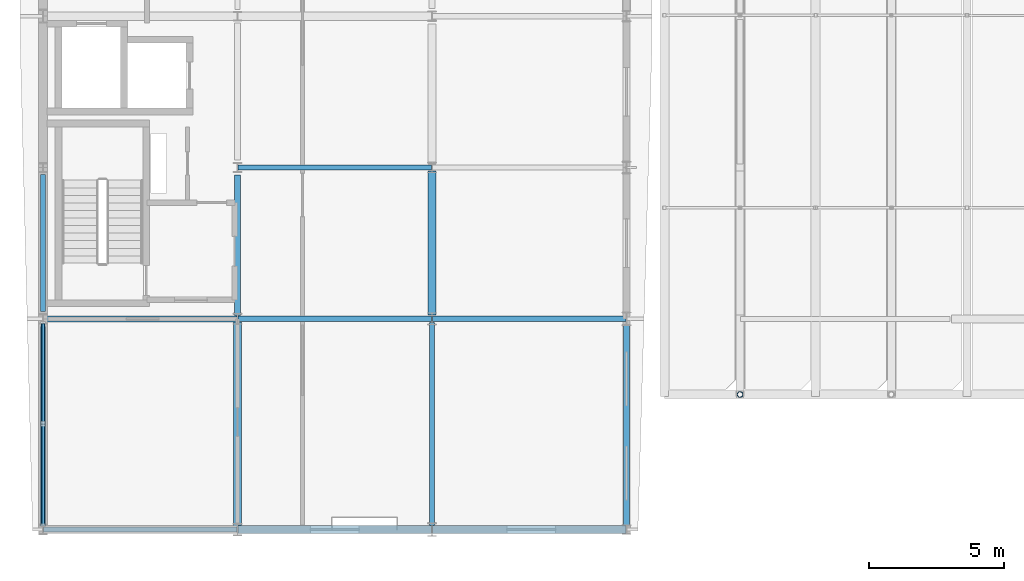
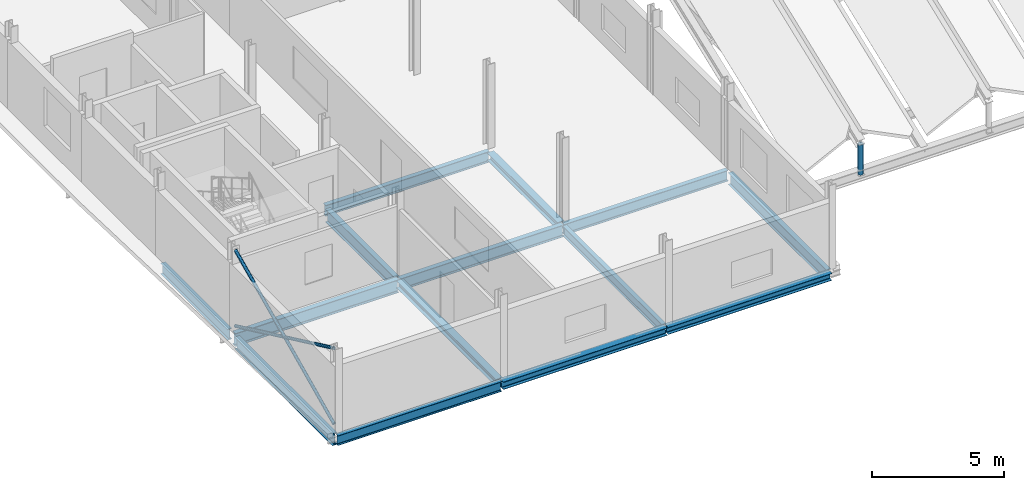
# One storey, part 8 of 49: 14 beams, 4 members.
"""IFC4 building model written with IfcOpenShell, lengths in metres."""

from ifc_helpers import new_model, si_unit, direction, frame, origin, origin_2d, place, context, subcontext, project, spatial, hollow_circle, i_section, extrude, material, material_profile, profile_set, type_object, element, save


model = new_model("IFC4")

# Units and contexts
model_context = context("Model", 3, precision=1e-05, world=origin(), true_north=direction((0.0, 1.0)))
body_context = subcontext(model_context, "Body", "Model", "MODEL_VIEW")
ifc_project = project(units=[si_unit("LENGTHUNIT", "METRE"), si_unit("AREAUNIT", "SQUARE_METRE"), si_unit("VOLUMEUNIT", "CUBIC_METRE"), si_unit("PLANEANGLEUNIT", "RADIAN"), si_unit("MASSUNIT", "GRAM", prefix="KILO")], contexts=[model_context])

# Site, building, storey
site_placement = place(None, origin())
site = spatial("IfcSite", under=ifc_project, at=site_placement, CompositionType="ELEMENT")
building_placement = place(site_placement, origin())
building = spatial("IfcBuilding", under=site, at=building_placement, Name="Vinh Khe Railworks Police Headquarters", CompositionType="ELEMENT")
storey_placement = place(building_placement, frame((0.0, 0.0, 17.10009765625)))
storey = spatial("IfcBuildingStorey", under=building, at=storey_placement, Name="L04", CompositionType="ELEMENT", Elevation=17.10009765625)

# Members
ifc_material = material(Name="Steel S355JR", Category="steel")
ifc_material_profile_1 = material_profile(ifc_material, hollow_circle(Radius=0.06982421875, WallThickness=0.008056640625, at=origin_2d()), Name="CHS 139.7x8")
ifc_profile_set_1 = profile_set([ifc_material_profile_1], Name="Steel S355JR")
member_type_1 = type_object("IfcMemberType", Name="Concentric Brace CHS 139.7x8", PredefinedType="BRACE", material=ifc_profile_set_1)
member_1_placement = place(storey_placement, frame((0.60009765625, 17.580078125, 0.199951171875), z_axis=(0.0, 0.905312283981, 0.424746593244), x_axis=(-1.0, 0.0, 0.0)))
element("IfcMember", 1, at=member_1_placement, inside=storey, type_object=member_type_1, Name="Continuous Concentric Brace MEM-BR-L04-BR-13-013", PredefinedType="BRACE", context=body_context, shape_type="SweptSolid", body=[
    extrude(hollow_circle(Radius=0.06982421875, WallThickness=0.008056640625, at=origin_2d()), origin(), (0.0, 0.0, 1.0), 8.240234375),
])
for number, where, z_axis, x_axis, name in (
    (2, (0.60009765625, 17.580078125, 3.699951171875), (0.0, 0.905307480591, -0.424756831123), (-1.0, 0.0, 0.0), "Split X-Brace Segment MEM-BR-L04-BR-13-014 (2A)"),
    (3, (0.60009765625, 21.375732421875, 1.919189453125), (0.0, 0.905307480591, -0.424756831123), (-1.0, 0.0, 0.0), "Split X-Brace Segment MEM-BR-L04-BR-13-015 (2B)"),
):
    element("IfcMember", number, at=place(storey_placement, frame(where, z_axis=z_axis, x_axis=x_axis)), inside=storey, type_object=member_type_1, Name=name, PredefinedType="BRACE", context=body_context, shape_type="SweptSolid", body=[
        extrude(hollow_circle(Radius=0.06982421875, WallThickness=0.008056640625, at=origin_2d()), origin(), (0.0, 0.0, 1.0), 4.047607421875),
    ])
ifc_material_profile_2 = material_profile(ifc_material, hollow_circle(Radius=0.109619140625, WallThickness=0.012451171875, at=origin_2d()), Name="CHS 219.1x12.5")
ifc_profile_set_2 = profile_set([ifc_material_profile_2], Name="Steel S355JR")
member_type_2 = type_object("IfcMemberType", Name="Roof Strut CHS 219.1x12.5", PredefinedType="STRUT", material=ifc_profile_set_2)
member_2_placement = place(storey_placement, frame((26.39990234375, 22.39990234375, -0.191162109375), z_axis=(0.0, 0.0, 1.0), x_axis=(1.0, 0.0, 0.0)))
element("IfcMember", 4, at=member_2_placement, inside=storey, type_object=member_type_2, Name="Folded Roof Strut 1S", PredefinedType="STRUT", context=body_context, shape_type="SweptSolid", body=[
    extrude(hollow_circle(Radius=0.109619140625, WallThickness=0.012451171875, at=origin_2d()), origin(), (0.0, 0.0, 1.0), 1.39990234375),
])

# Beams
ifc_material_profile_3 = material_profile(ifc_material, i_section(OverallWidth=0.300048828125, OverallDepth=0.330078125, WebThickness=0.009521484375, FlangeThickness=0.0166015625, FilletRadius=0.027099609375, at=origin_2d()), Name="HEA 340")
ifc_profile_set_3 = profile_set([ifc_material_profile_3], Name="Steel S355JR")
beam_type_1 = type_object("IfcBeamType", Name="Steel Girder HEA 340", PredefinedType="BEAM", material=ifc_profile_set_3)
beam_1_placement = place(storey_placement, frame((15.02001953125, 17.39990234375, -0.364990234375), z_axis=(1.0, 0.0, 0.0), x_axis=(0.0, 1.0, 0.0)))
element("IfcBeam", 5, at=beam_1_placement, inside=storey, type_object=beam_type_1, Name="Girder BM-L04-EW-SB-16-1286", PredefinedType="BEAM", context=body_context, shape_type="SweptSolid", body=[
    extrude(i_section(OverallWidth=0.300048828125, OverallDepth=0.330078125, WebThickness=0.009521484375, FlangeThickness=0.0166015625, FilletRadius=0.027099609375, at=origin_2d()), origin(), (0.0, 0.0, 1.0), 7.159912109375),
])
beam_2_placement = place(storey_placement, frame((7.800048828125, 17.534912109375, -0.364990234375), z_axis=(0.0, 1.0, 0.0), x_axis=(-1.0, 0.0, 0.0)))
element("IfcBeam", 6, at=beam_2_placement, inside=storey, type_object=beam_type_1, Name="Girder BM-L04-NS-SB-16-1388", PredefinedType="BEAM", context=body_context, shape_type="SweptSolid", body=[
    extrude(i_section(OverallWidth=0.300048828125, OverallDepth=0.330078125, WebThickness=0.009521484375, FlangeThickness=0.0166015625, FilletRadius=0.027099609375, at=origin_2d()), origin(), (0.0, 0.0, 1.0), 7.5400390625),
])
ifc_material_profile_4 = material_profile(ifc_material, i_section(OverallWidth=0.300048828125, OverallDepth=0.35009765625, WebThickness=0.010009765625, FlangeThickness=0.017578125, FilletRadius=0.027099609375, at=origin_2d()), Name="HEA 360")
ifc_profile_set_4 = profile_set([ifc_material_profile_4], Name="Steel S355JR")
beam_type_2 = type_object("IfcBeamType", Name="Steel Girder HEA 360", PredefinedType="BEAM", material=ifc_profile_set_4)
beam_3_placement = place(storey_placement, frame((7.820068359375, 17.39990234375, -0.375), z_axis=(1.0, 0.0, 0.0), x_axis=(0.0, 1.0, 0.0)))
element("IfcBeam", 7, at=beam_3_placement, inside=storey, type_object=beam_type_2, Name="Girder BM-L04-EW-SB-15-1285", PredefinedType="BEAM", context=body_context, shape_type="SweptSolid", body=[
    extrude(i_section(OverallWidth=0.300048828125, OverallDepth=0.35009765625, WebThickness=0.010009765625, FlangeThickness=0.017578125, FilletRadius=0.027099609375, at=origin_2d()), origin(), (0.0, 0.0, 1.0), 7.159912109375),
])
beam_4_placement = place(storey_placement, frame((15.0, 25.3349609375, -0.375), z_axis=(0.0, 1.0, 0.0), x_axis=(-1.0, 0.0, 0.0)))
element("IfcBeam", 8, at=beam_4_placement, inside=storey, type_object=beam_type_2, Name="Girder BM-L04-NS-SB-15-1405", PredefinedType="BEAM", context=body_context, shape_type="SweptSolid", body=[
    extrude(i_section(OverallWidth=0.300048828125, OverallDepth=0.35009765625, WebThickness=0.010009765625, FlangeThickness=0.017578125, FilletRadius=0.027099609375, at=origin_2d()), origin(), (0.0, 0.0, 1.0), 5.340087890625),
])
ifc_material_profile_5 = material_profile(ifc_material, i_section(OverallWidth=0.18994140625, OverallDepth=0.449951171875, WebThickness=0.009521484375, FlangeThickness=0.0146484375, FilletRadius=0.02099609375, at=origin_2d()), Name="IPE 450")
ifc_profile_set_5 = profile_set([ifc_material_profile_5], Name="Steel S355JR")
beam_type_3 = type_object("IfcBeamType", Name="Steel Girder IPE 450", PredefinedType="BEAM", material=ifc_profile_set_5)
beam_5_placement = place(storey_placement, frame((0.6201171875, 17.39990234375, -0.425048828125), z_axis=(1.0, 0.0, 0.0), x_axis=(0.0, 1.0, 0.0)))
element("IfcBeam", 9, at=beam_5_placement, inside=storey, type_object=beam_type_3, Name="Girder BM-L04-EW-SB-20-1284", PredefinedType="BEAM", context=body_context, shape_type="SweptSolid", body=[
    extrude(i_section(OverallWidth=0.18994140625, OverallDepth=0.449951171875, WebThickness=0.009521484375, FlangeThickness=0.0146484375, FilletRadius=0.02099609375, at=origin_2d()), origin(), (0.0, 0.0, 1.0), 7.159912109375),
])
beam_6_placement = place(storey_placement, frame((15.0, 17.550048828125, -0.425048828125), z_axis=(0.0, 1.0, 0.0), x_axis=(-1.0, 0.0, 0.0)))
element("IfcBeam", 10, at=beam_6_placement, inside=storey, type_object=beam_type_3, Name="Girder BM-L04-NS-SB-20-1404", PredefinedType="BEAM", context=body_context, shape_type="SweptSolid", body=[
    extrude(i_section(OverallWidth=0.18994140625, OverallDepth=0.449951171875, WebThickness=0.009521484375, FlangeThickness=0.0146484375, FilletRadius=0.02099609375, at=origin_2d()), origin(), (0.0, 0.0, 1.0), 7.514892578125),
])
ifc_material_profile_6 = material_profile(ifc_material, i_section(OverallWidth=0.199951171875, OverallDepth=0.5, WebThickness=0.01025390625, FlangeThickness=0.01611328125, FilletRadius=0.02099609375, at=origin_2d()), Name="IPE 500")
ifc_profile_set_6 = profile_set([ifc_material_profile_6], Name="Steel S355JR")
beam_type_4 = type_object("IfcBeamType", Name="Steel Girder IPE 500", PredefinedType="BEAM", material=ifc_profile_set_6)
for number, where, z_axis, x_axis, name in (
    (11, (15.02001953125, 25.199951171875, -0.4501953125), (1.0, 0.0, 0.0), (0.0, 1.0, 0.0), "Girder BM-L04-EW-SB-19-1289"),
    (12, (7.820068359375, 30.800048828125, -0.4501953125), (1.0, 0.0, 0.0), (0.0, 1.0, 0.0), "Girder BM-L04-EW-SB-19-1295"),
):
    element("IfcBeam", number, at=place(storey_placement, frame(where, z_axis=z_axis, x_axis=x_axis)), inside=storey, type_object=beam_type_4, Name=name, PredefinedType="BEAM", context=body_context, shape_type="SweptSolid", body=[
        extrude(i_section(OverallWidth=0.199951171875, OverallDepth=0.5, WebThickness=0.01025390625, FlangeThickness=0.01611328125, FilletRadius=0.02099609375, at=origin_2d()), origin(), (0.0, 0.0, 1.0), 7.159912109375),
    ])
beam_7_placement = place(storey_placement, frame((0.60009765625, 25.47998046875, -0.4501953125), z_axis=(0.0, 1.0, 0.0), x_axis=(-1.0, 0.0, 0.0)))
element("IfcBeam", 13, at=beam_7_placement, inside=storey, type_object=beam_type_4, Name="Girder BM-L04-NS-SB-19-1373", PredefinedType="BEAM", context=body_context, shape_type="SweptSolid", body=[
    extrude(i_section(OverallWidth=0.199951171875, OverallDepth=0.5, WebThickness=0.01025390625, FlangeThickness=0.01611328125, FilletRadius=0.02099609375, at=origin_2d()), origin(), (0.0, 0.0, 1.0), 5.06494140625),
])
ifc_material_profile_7 = material_profile(ifc_material, i_section(OverallWidth=0.2099609375, OverallDepth=0.550048828125, WebThickness=0.010986328125, FlangeThickness=0.01708984375, FilletRadius=0.02392578125, at=origin_2d()), Name="IPE 550")
ifc_profile_set_7 = profile_set([ifc_material_profile_7], Name="Steel S355JR")
beam_type_5 = type_object("IfcBeamType", Name="Steel Girder IPE 550", PredefinedType="BEAM", material=ifc_profile_set_7)
beam_8_placement = place(storey_placement, frame((7.820068359375, 25.199951171875, -0.47509765625), z_axis=(1.0, 0.0, 0.0), x_axis=(0.0, 1.0, 0.0)))
element("IfcBeam", 14, at=beam_8_placement, inside=storey, type_object=beam_type_5, Name="Girder BM-L04-EW-SB-18-1288", PredefinedType="BEAM", context=body_context, shape_type="SweptSolid", body=[
    extrude(i_section(OverallWidth=0.2099609375, OverallDepth=0.550048828125, WebThickness=0.010986328125, FlangeThickness=0.01708984375, FilletRadius=0.02392578125, at=origin_2d()), origin(), (0.0, 0.0, 1.0), 7.159912109375),
])
beam_9_placement = place(storey_placement, frame((0.60009765625, 17.52490234375, -0.47509765625), z_axis=(0.0, 1.0, 0.0), x_axis=(-1.0, 0.0, 0.0)))
element("IfcBeam", 15, at=beam_9_placement, inside=storey, type_object=beam_type_5, Name="Girder BM-L04-NS-SB-18-1372", PredefinedType="BEAM", context=body_context, shape_type="SweptSolid", body=[
    extrude(i_section(OverallWidth=0.2099609375, OverallDepth=0.550048828125, WebThickness=0.010986328125, FlangeThickness=0.01708984375, FilletRadius=0.02392578125, at=origin_2d()), origin(), (0.0, 0.0, 1.0), 7.39501953125),
])
beam_10_placement = place(storey_placement, frame((22.199951171875, 17.550048828125, -0.47509765625), z_axis=(0.0, 1.0, 0.0), x_axis=(-1.0, 0.0, 0.0)))
element("IfcBeam", 16, at=beam_10_placement, inside=storey, type_object=beam_type_5, Name="Girder BM-L04-NS-SB-18-1420", PredefinedType="BEAM", context=body_context, shape_type="SweptSolid", body=[
    extrude(i_section(OverallWidth=0.2099609375, OverallDepth=0.550048828125, WebThickness=0.010986328125, FlangeThickness=0.01708984375, FilletRadius=0.02392578125, at=origin_2d()), origin(), (0.0, 0.0, 1.0), 7.419921875),
])
ifc_material_profile_8 = material_profile(ifc_material, i_section(OverallWidth=0.219970703125, OverallDepth=0.60009765625, WebThickness=0.011962890625, FlangeThickness=0.01904296875, FilletRadius=0.02392578125, at=origin_2d()), Name="IPE 600")
ifc_profile_set_8 = profile_set([ifc_material_profile_8], Name="Steel S355JR")
beam_type_6 = type_object("IfcBeamType", Name="Steel Girder IPE 600", PredefinedType="BEAM", material=ifc_profile_set_8)
beam_11_placement = place(storey_placement, frame((0.6201171875, 25.199951171875, -0.5), z_axis=(1.0, 0.0, 0.0), x_axis=(0.0, 1.0, 0.0)))
element("IfcBeam", 17, at=beam_11_placement, inside=storey, type_object=beam_type_6, Name="Girder BM-L04-EW-SB-17-1287", PredefinedType="BEAM", context=body_context, shape_type="SweptSolid", body=[
    extrude(i_section(OverallWidth=0.219970703125, OverallDepth=0.60009765625, WebThickness=0.011962890625, FlangeThickness=0.01904296875, FilletRadius=0.02392578125, at=origin_2d()), origin(), (0.0, 0.0, 1.0), 7.159912109375),
])
beam_12_placement = place(storey_placement, frame((7.800048828125, 25.324951171875, -0.5), z_axis=(0.0, 1.0, 0.0), x_axis=(-1.0, 0.0, 0.0)))
element("IfcBeam", 18, at=beam_12_placement, inside=storey, type_object=beam_type_6, Name="Girder BM-L04-NS-SB-17-1389", PredefinedType="BEAM", context=body_context, shape_type="SweptSolid", body=[
    extrude(i_section(OverallWidth=0.219970703125, OverallDepth=0.60009765625, WebThickness=0.011962890625, FlangeThickness=0.01904296875, FilletRadius=0.02392578125, at=origin_2d()), origin(), (0.0, 0.0, 1.0), 5.195068359375),
])

save(model, "model.ifc")
